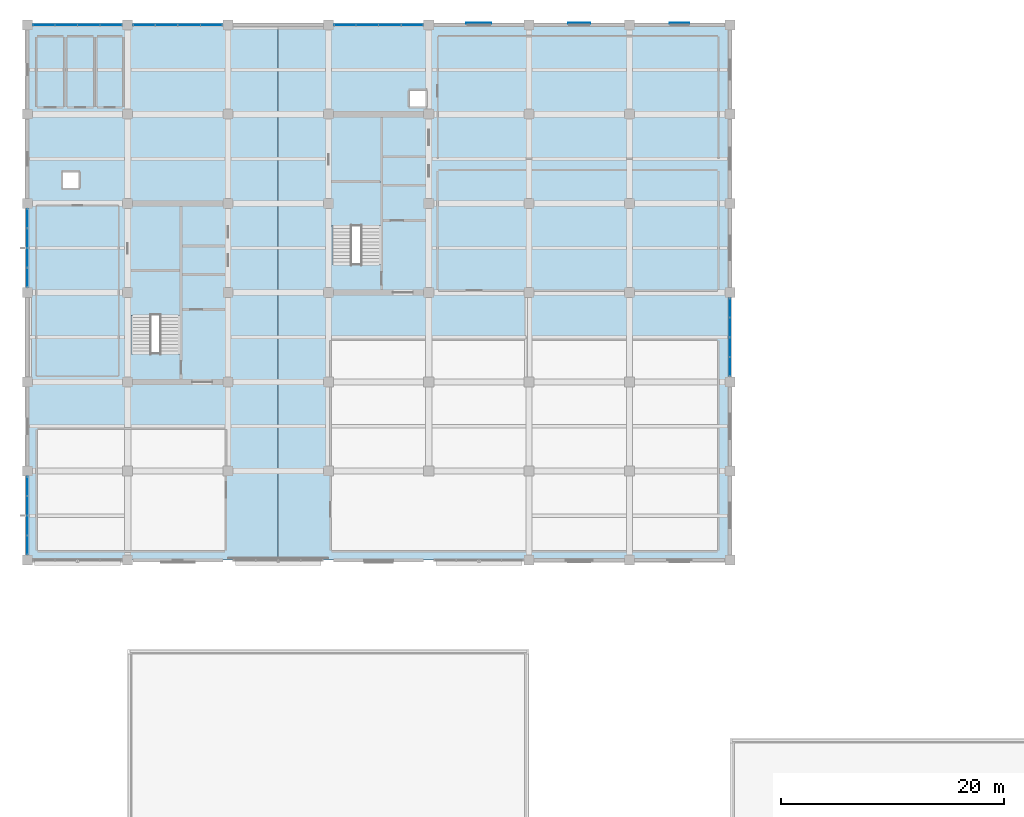
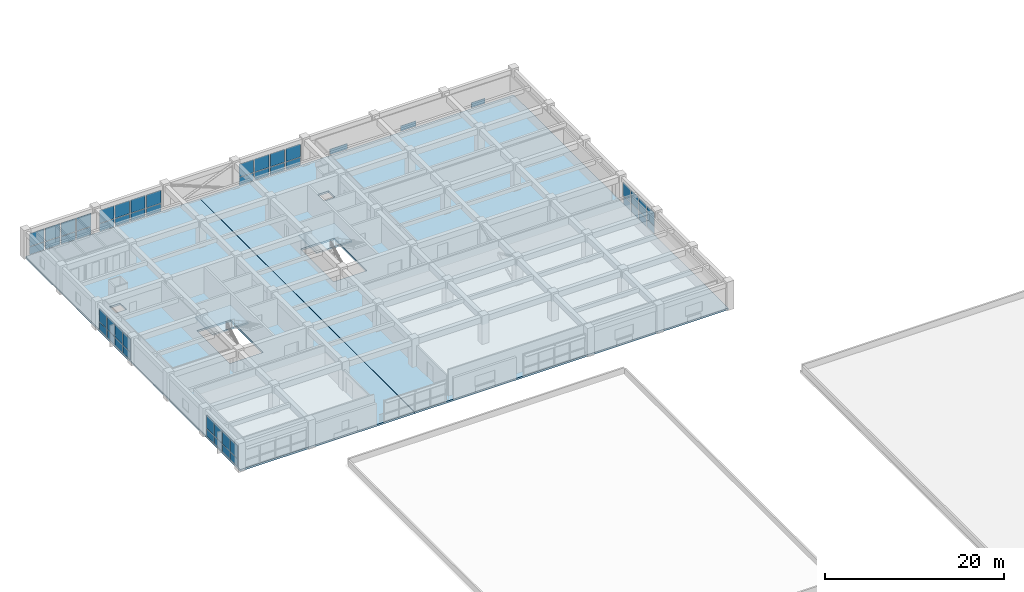
# One storey, part 12 of 23: 51 plates, 4 slabs, 8 elements without a shape of their own.
"""IFC4 building model written with IfcOpenShell, lengths in metres."""

from ifc_helpers import new_model, si_unit, direction, frame, frame_2d, origin, place, context, subcontext, project, spatial, polyline, rectangle, outline, extrude, material, layer, layer_set, type_object, element, aggregate, save


model = new_model("IFC4")

# Units and contexts
model_context = context("Model", 3, precision=1e-05, world=origin(), true_north=direction((0.0, 1.0)))
body_context = subcontext(model_context, "Body", "Model", "MODEL_VIEW")
ifc_project = project(units=[si_unit("LENGTHUNIT", "METRE"), si_unit("AREAUNIT", "SQUARE_METRE"), si_unit("VOLUMEUNIT", "CUBIC_METRE"), si_unit("PLANEANGLEUNIT", "RADIAN"), si_unit("MASSUNIT", "GRAM", prefix="KILO")], contexts=[model_context])

# Site, building, storey
site_placement = place(None, origin())
site = spatial("IfcSite", under=ifc_project, at=site_placement, CompositionType="ELEMENT")
building_placement = place(site_placement, origin())
building = spatial("IfcBuilding", under=site, at=building_placement, Name="Zaverband Oceanarium and Marine Research Institute", CompositionType="ELEMENT")
storey_placement = place(building_placement, frame((0.0, 0.0, 21.89990234375)))
storey = spatial("IfcBuildingStorey", under=building, at=storey_placement, Name="L05", CompositionType="ELEMENT", Elevation=21.89990234375)

# Curtain wall, plates
ifc_material_1 = material(Name="Thermally broken anodized aluminium and solar-control glass", Category="aluminium")
curtain_wall_type = type_object("IfcCurtainWallType", Name="CW-UNIT-1800", PredefinedType="NOTDEFINED", material=ifc_material_1)
curtain_wall_1_placement = place(storey_placement, origin())
curtain_wall_1 = element("IfcCurtainWall", 1, at=curtain_wall_1_placement, inside=storey, type_object=curtain_wall_type, Name="Unitised glazed curtain wall CW-073", PredefinedType="NOTDEFINED")
ifc_material_2 = material(Name="Low-E double-glazed solar-control glass", Category="glass")
ifc_layer_1 = layer(ifc_material_2, 0.033935546875, Name="Low-E double-glazed solar-control glass")
ifc_layer_set_1 = layer_set([ifc_layer_1], Name="Low-E double-glazed solar-control glass")
plate_type_1 = type_object("IfcPlateType", Name="CWP-1570x1043", PredefinedType="CURTAIN_PANEL", material=ifc_layer_set_1)
plate_1_placement = place(storey_placement, frame((9.0, 64.534912109375, 0.050048828125), z_axis=(0.0, 0.0, 1.0), x_axis=(0.0, 1.0, 0.0)))
plate_1 = element("IfcPlate", 2, at=plate_1_placement, type_object=plate_type_1, Name="Glazed curtain wall panel CWP-1570x1043", PredefinedType="CURTAIN_PANEL", context=body_context, shape_type="SweptSolid", body=[
    extrude(rectangle(XDim=1.612548828125, YDim=0.033935546875, at=frame_2d((0.80615234375, 0.0))), origin(), (0.0, 0.0, 1.0), 1.04296875),
])
plate_2_placement = place(storey_placement, frame((9.0, 66.3076171875, 0.050048828125), z_axis=(0.0, 0.0, 1.0), x_axis=(0.0, 1.0, 0.0)))
plate_2 = element("IfcPlate", 3, at=plate_2_placement, type_object=plate_type_1, Name="Glazed curtain wall panel CWP-1570x1043", PredefinedType="CURTAIN_PANEL", context=body_context, shape_type="SweptSolid", body=[
    extrude(rectangle(XDim=1.6123046875, YDim=0.033935546875, at=frame_2d((0.80615234375, 0.0))), origin(), (0.0, 0.0, 1.0), 1.04296875),
])
plate_3_placement = place(storey_placement, frame((9.0, 68.080078125, 0.050048828125), z_axis=(0.0, 0.0, 1.0), x_axis=(0.0, 1.0, 0.0)))
plate_3 = element("IfcPlate", 4, at=plate_3_placement, type_object=plate_type_1, Name="Glazed curtain wall panel CWP-1570x1043", PredefinedType="CURTAIN_PANEL", context=body_context, shape_type="SweptSolid", body=[
    extrude(rectangle(XDim=1.6123046875, YDim=0.033935546875, at=frame_2d((0.80615234375, 0.0))), origin(), (0.0, 0.0, 1.0), 1.04296875),
])
plate_4_placement = place(storey_placement, frame((9.0, 69.8525390625, 0.050048828125), z_axis=(0.0, 0.0, 1.0), x_axis=(0.0, 1.0, 0.0)))
plate_4 = element("IfcPlate", 5, at=plate_4_placement, type_object=plate_type_1, Name="Glazed curtain wall panel CWP-1570x1043", PredefinedType="CURTAIN_PANEL", context=body_context, shape_type="SweptSolid", body=[
    extrude(rectangle(XDim=1.612548828125, YDim=0.033935546875, at=frame_2d((0.80615234375, 0.0))), origin(), (0.0, 0.0, 1.0), 1.04296875),
])

curtain_wall_2_placement = place(storey_placement, origin())
curtain_wall_2 = element("IfcCurtainWall", 6, at=curtain_wall_2_placement, inside=storey, type_object=curtain_wall_type, Name="Unitised glazed curtain wall CW-074", PredefinedType="NOTDEFINED")
plate_5_placement = place(storey_placement, frame((9.0, 88.534912109375, 0.050048828125), z_axis=(0.0, 0.0, 1.0), x_axis=(0.0, 1.0, 0.0)))
plate_5 = element("IfcPlate", 7, at=plate_5_placement, type_object=plate_type_1, Name="Glazed curtain wall panel CWP-1570x1043", PredefinedType="CURTAIN_PANEL", context=body_context, shape_type="SweptSolid", body=[
    extrude(rectangle(XDim=1.612548828125, YDim=0.033935546875, at=frame_2d((0.80615234375, 0.0))), origin(), (0.0, 0.0, 1.0), 1.04296875),
])
plate_6_placement = place(storey_placement, frame((9.0, 90.3076171875, 0.050048828125), z_axis=(0.0, 0.0, 1.0), x_axis=(0.0, 1.0, 0.0)))
plate_6 = element("IfcPlate", 8, at=plate_6_placement, type_object=plate_type_1, Name="Glazed curtain wall panel CWP-1570x1043", PredefinedType="CURTAIN_PANEL", context=body_context, shape_type="SweptSolid", body=[
    extrude(rectangle(XDim=1.6123046875, YDim=0.033935546875, at=frame_2d((0.80615234375, 0.0))), origin(), (0.0, 0.0, 1.0), 1.04296875),
])
plate_7_placement = place(storey_placement, frame((9.0, 92.080078125, 0.050048828125), z_axis=(0.0, 0.0, 1.0), x_axis=(0.0, 1.0, 0.0)))
plate_7 = element("IfcPlate", 9, at=plate_7_placement, type_object=plate_type_1, Name="Glazed curtain wall panel CWP-1570x1043", PredefinedType="CURTAIN_PANEL", context=body_context, shape_type="SweptSolid", body=[
    extrude(rectangle(XDim=1.6123046875, YDim=0.033935546875, at=frame_2d((0.80615234375, 0.0))), origin(), (0.0, 0.0, 1.0), 1.04296875),
])
plate_8_placement = place(storey_placement, frame((9.0, 93.8525390625, 0.050048828125), z_axis=(0.0, 0.0, 1.0), x_axis=(0.0, 1.0, 0.0)))
plate_8 = element("IfcPlate", 10, at=plate_8_placement, type_object=plate_type_1, Name="Glazed curtain wall panel CWP-1570x1043", PredefinedType="CURTAIN_PANEL", context=body_context, shape_type="SweptSolid", body=[
    extrude(rectangle(XDim=1.612548828125, YDim=0.033935546875, at=frame_2d((0.80615234375, 0.0))), origin(), (0.0, 0.0, 1.0), 1.04296875),
])

curtain_wall_3_placement = place(storey_placement, origin())
curtain_wall_3 = element("IfcCurtainWall", 11, at=curtain_wall_3_placement, inside=storey, type_object=curtain_wall_type, Name="Unitised glazed curtain wall CW-075", PredefinedType="NOTDEFINED")
plate_9_placement = place(storey_placement, frame((72.0, 80.534912109375, 0.050048828125), z_axis=(0.0, 0.0, 1.0), x_axis=(0.0, 1.0, 0.0)))
plate_9 = element("IfcPlate", 12, at=plate_9_placement, type_object=plate_type_1, Name="Glazed curtain wall panel CWP-1570x1043", PredefinedType="CURTAIN_PANEL", context=body_context, shape_type="SweptSolid", body=[
    extrude(rectangle(XDim=1.612548828125, YDim=0.033935546875, at=frame_2d((0.80615234375, 0.0))), origin(), (0.0, 0.0, 1.0), 1.04296875),
])
plate_10_placement = place(storey_placement, frame((72.0, 82.3076171875, 0.050048828125), z_axis=(0.0, 0.0, 1.0), x_axis=(0.0, 1.0, 0.0)))
plate_10 = element("IfcPlate", 13, at=plate_10_placement, type_object=plate_type_1, Name="Glazed curtain wall panel CWP-1570x1043", PredefinedType="CURTAIN_PANEL", context=body_context, shape_type="SweptSolid", body=[
    extrude(rectangle(XDim=1.6123046875, YDim=0.033935546875, at=frame_2d((0.80615234375, 0.0))), origin(), (0.0, 0.0, 1.0), 1.04296875),
])
plate_11_placement = place(storey_placement, frame((72.0, 84.080078125, 0.050048828125), z_axis=(0.0, 0.0, 1.0), x_axis=(0.0, 1.0, 0.0)))
plate_11 = element("IfcPlate", 14, at=plate_11_placement, type_object=plate_type_1, Name="Glazed curtain wall panel CWP-1570x1043", PredefinedType="CURTAIN_PANEL", context=body_context, shape_type="SweptSolid", body=[
    extrude(rectangle(XDim=1.6123046875, YDim=0.033935546875, at=frame_2d((0.80615234375, 0.0))), origin(), (0.0, 0.0, 1.0), 1.04296875),
])
plate_12_placement = place(storey_placement, frame((72.0, 85.8525390625, 0.050048828125), z_axis=(0.0, 0.0, 1.0), x_axis=(0.0, 1.0, 0.0)))
plate_12 = element("IfcPlate", 15, at=plate_12_placement, type_object=plate_type_1, Name="Glazed curtain wall panel CWP-1570x1043", PredefinedType="CURTAIN_PANEL", context=body_context, shape_type="SweptSolid", body=[
    extrude(rectangle(XDim=1.612548828125, YDim=0.033935546875, at=frame_2d((0.80615234375, 0.0))), origin(), (0.0, 0.0, 1.0), 1.04296875),
])

# Plate
ifc_layer_2 = layer(ifc_material_2, 0.035888671875, Name="Low-E double-glazed solar-control glass")
ifc_layer_set_2 = layer_set([ifc_layer_2], Name="Low-E double-glazed solar-control glass")
plate_type_2 = type_object("IfcPlateType", Name="CWP-1570x1777", PredefinedType="CURTAIN_PANEL", material=ifc_layer_set_2)
plate_13_placement = place(storey_placement, frame((9.0, 64.534912109375, 1.1630859375), z_axis=(0.0, 0.0, 1.0), x_axis=(0.0, 1.0, 0.0)))
plate_13 = element("IfcPlate", 16, at=plate_13_placement, type_object=plate_type_2, Name="Glazed curtain wall panel CWP-1570x1777", PredefinedType="CURTAIN_PANEL", context=body_context, shape_type="SweptSolid", body=[
    extrude(rectangle(XDim=1.612548828125, YDim=0.035888671875, at=frame_2d((0.80615234375, 0.0))), origin(), (0.0, 0.0, 1.0), 1.777099609375),
])

plate_14_placement = place(storey_placement, frame((9.0, 66.3076171875, 1.1630859375), z_axis=(0.0, 0.0, 1.0), x_axis=(0.0, 1.0, 0.0)))
plate_14 = element("IfcPlate", 17, at=plate_14_placement, type_object=plate_type_2, Name="Glazed curtain wall panel CWP-1570x1777", PredefinedType="CURTAIN_PANEL", context=body_context, shape_type="SweptSolid", body=[
    extrude(rectangle(XDim=1.6123046875, YDim=0.035888671875, at=frame_2d((0.80615234375, 0.0))), origin(), (0.0, 0.0, 1.0), 1.777099609375),
])

plate_15_placement = place(storey_placement, frame((9.0, 68.080078125, 1.1630859375), z_axis=(0.0, 0.0, 1.0), x_axis=(0.0, 1.0, 0.0)))
plate_15 = element("IfcPlate", 18, at=plate_15_placement, type_object=plate_type_2, Name="Glazed curtain wall panel CWP-1570x1777", PredefinedType="CURTAIN_PANEL", context=body_context, shape_type="SweptSolid", body=[
    extrude(rectangle(XDim=1.6123046875, YDim=0.035888671875, at=frame_2d((0.80615234375, 0.0))), origin(), (0.0, 0.0, 1.0), 1.777099609375),
])

plate_16_placement = place(storey_placement, frame((9.0, 69.8525390625, 1.1630859375), z_axis=(0.0, 0.0, 1.0), x_axis=(0.0, 1.0, 0.0)))
plate_16 = element("IfcPlate", 19, at=plate_16_placement, type_object=plate_type_2, Name="Glazed curtain wall panel CWP-1570x1777", PredefinedType="CURTAIN_PANEL", context=body_context, shape_type="SweptSolid", body=[
    extrude(rectangle(XDim=1.612548828125, YDim=0.035888671875, at=frame_2d((0.80615234375, 0.0))), origin(), (0.0, 0.0, 1.0), 1.777099609375),
])

aggregate(curtain_wall_1, [plate_1, plate_13, plate_2, plate_14, plate_3, plate_15, plate_4, plate_16])

plate_17_placement = place(storey_placement, frame((9.0, 88.534912109375, 1.1630859375), z_axis=(0.0, 0.0, 1.0), x_axis=(0.0, 1.0, 0.0)))
plate_17 = element("IfcPlate", 20, at=plate_17_placement, type_object=plate_type_2, Name="Glazed curtain wall panel CWP-1570x1777", PredefinedType="CURTAIN_PANEL", context=body_context, shape_type="SweptSolid", body=[
    extrude(rectangle(XDim=1.612548828125, YDim=0.035888671875, at=frame_2d((0.80615234375, 0.0))), origin(), (0.0, 0.0, 1.0), 1.777099609375),
])

plate_18_placement = place(storey_placement, frame((9.0, 90.3076171875, 1.1630859375), z_axis=(0.0, 0.0, 1.0), x_axis=(0.0, 1.0, 0.0)))
plate_18 = element("IfcPlate", 21, at=plate_18_placement, type_object=plate_type_2, Name="Glazed curtain wall panel CWP-1570x1777", PredefinedType="CURTAIN_PANEL", context=body_context, shape_type="SweptSolid", body=[
    extrude(rectangle(XDim=1.6123046875, YDim=0.035888671875, at=frame_2d((0.80615234375, 0.0))), origin(), (0.0, 0.0, 1.0), 1.777099609375),
])

plate_19_placement = place(storey_placement, frame((9.0, 92.080078125, 1.1630859375), z_axis=(0.0, 0.0, 1.0), x_axis=(0.0, 1.0, 0.0)))
plate_19 = element("IfcPlate", 22, at=plate_19_placement, type_object=plate_type_2, Name="Glazed curtain wall panel CWP-1570x1777", PredefinedType="CURTAIN_PANEL", context=body_context, shape_type="SweptSolid", body=[
    extrude(rectangle(XDim=1.6123046875, YDim=0.035888671875, at=frame_2d((0.80615234375, 0.0))), origin(), (0.0, 0.0, 1.0), 1.777099609375),
])

plate_20_placement = place(storey_placement, frame((9.0, 93.8525390625, 1.1630859375), z_axis=(0.0, 0.0, 1.0), x_axis=(0.0, 1.0, 0.0)))
plate_20 = element("IfcPlate", 23, at=plate_20_placement, type_object=plate_type_2, Name="Glazed curtain wall panel CWP-1570x1777", PredefinedType="CURTAIN_PANEL", context=body_context, shape_type="SweptSolid", body=[
    extrude(rectangle(XDim=1.612548828125, YDim=0.035888671875, at=frame_2d((0.80615234375, 0.0))), origin(), (0.0, 0.0, 1.0), 1.777099609375),
])

aggregate(curtain_wall_2, [plate_5, plate_17, plate_6, plate_18, plate_7, plate_19, plate_8, plate_20])

plate_21_placement = place(storey_placement, frame((72.0, 80.534912109375, 1.1630859375), z_axis=(0.0, 0.0, 1.0), x_axis=(0.0, 1.0, 0.0)))
plate_21 = element("IfcPlate", 24, at=plate_21_placement, type_object=plate_type_2, Name="Glazed curtain wall panel CWP-1570x1777", PredefinedType="CURTAIN_PANEL", context=body_context, shape_type="SweptSolid", body=[
    extrude(rectangle(XDim=1.612548828125, YDim=0.035888671875, at=frame_2d((0.80615234375, 0.0))), origin(), (0.0, 0.0, 1.0), 1.777099609375),
])

plate_22_placement = place(storey_placement, frame((72.0, 82.3076171875, 1.1630859375), z_axis=(0.0, 0.0, 1.0), x_axis=(0.0, 1.0, 0.0)))
plate_22 = element("IfcPlate", 25, at=plate_22_placement, type_object=plate_type_2, Name="Glazed curtain wall panel CWP-1570x1777", PredefinedType="CURTAIN_PANEL", context=body_context, shape_type="SweptSolid", body=[
    extrude(rectangle(XDim=1.6123046875, YDim=0.035888671875, at=frame_2d((0.80615234375, 0.0))), origin(), (0.0, 0.0, 1.0), 1.777099609375),
])

plate_23_placement = place(storey_placement, frame((72.0, 84.080078125, 1.1630859375), z_axis=(0.0, 0.0, 1.0), x_axis=(0.0, 1.0, 0.0)))
plate_23 = element("IfcPlate", 26, at=plate_23_placement, type_object=plate_type_2, Name="Glazed curtain wall panel CWP-1570x1777", PredefinedType="CURTAIN_PANEL", context=body_context, shape_type="SweptSolid", body=[
    extrude(rectangle(XDim=1.6123046875, YDim=0.035888671875, at=frame_2d((0.80615234375, 0.0))), origin(), (0.0, 0.0, 1.0), 1.777099609375),
])

plate_24_placement = place(storey_placement, frame((72.0, 85.8525390625, 1.1630859375), z_axis=(0.0, 0.0, 1.0), x_axis=(0.0, 1.0, 0.0)))
plate_24 = element("IfcPlate", 27, at=plate_24_placement, type_object=plate_type_2, Name="Glazed curtain wall panel CWP-1570x1777", PredefinedType="CURTAIN_PANEL", context=body_context, shape_type="SweptSolid", body=[
    extrude(rectangle(XDim=1.612548828125, YDim=0.035888671875, at=frame_2d((0.80615234375, 0.0))), origin(), (0.0, 0.0, 1.0), 1.777099609375),
])

aggregate(curtain_wall_3, [plate_9, plate_21, plate_10, plate_22, plate_11, plate_23, plate_12, plate_24])

# Curtain wall, plates
curtain_wall_4_placement = place(storey_placement, origin())
curtain_wall_4 = element("IfcCurtainWall", 28, at=curtain_wall_4_placement, inside=storey, type_object=curtain_wall_type, Name="Unitised glazed curtain wall CW-070", PredefinedType="NOTDEFINED")
ifc_layer_3 = layer(ifc_material_2, 0.033935546875, Name="Low-E double-glazed solar-control glass")
ifc_layer_set_3 = layer_set([ifc_layer_3], Name="Low-E double-glazed solar-control glass")
plate_type_3 = type_object("IfcPlateType", Name="CWP-1820x1043", PredefinedType="CURTAIN_PANEL", material=ifc_layer_set_3)
plate_25_placement = place(storey_placement, frame((9.534912109375, 112.0, 0.050048828125), z_axis=(0.0, 0.0, 1.0), x_axis=(1.0, 0.0, 0.0)))
plate_25 = element("IfcPlate", 29, at=plate_25_placement, type_object=plate_type_3, Name="Glazed curtain wall panel CWP-1820x1043", PredefinedType="CURTAIN_PANEL", context=body_context, shape_type="SweptSolid", body=[
    extrude(rectangle(XDim=1.862548828125, YDim=0.033935546875, at=frame_2d((0.93115234375, 0.0))), origin(), (0.0, 0.0, 1.0), 1.04296875),
])
plate_26_placement = place(storey_placement, frame((11.5576171875, 112.0, 0.050048828125), z_axis=(0.0, 0.0, 1.0), x_axis=(1.0, 0.0, 0.0)))
plate_26 = element("IfcPlate", 30, at=plate_26_placement, type_object=plate_type_3, Name="Glazed curtain wall panel CWP-1820x1043", PredefinedType="CURTAIN_PANEL", context=body_context, shape_type="SweptSolid", body=[
    extrude(rectangle(XDim=1.8623046875, YDim=0.033935546875, at=frame_2d((0.93115234375, 0.0))), origin(), (0.0, 0.0, 1.0), 1.04296875),
])
plate_27_placement = place(storey_placement, frame((13.580078125, 112.0, 0.050048828125), z_axis=(0.0, 0.0, 1.0), x_axis=(1.0, 0.0, 0.0)))
plate_27 = element("IfcPlate", 31, at=plate_27_placement, type_object=plate_type_3, Name="Glazed curtain wall panel CWP-1820x1043", PredefinedType="CURTAIN_PANEL", context=body_context, shape_type="SweptSolid", body=[
    extrude(rectangle(XDim=1.8623046875, YDim=0.033935546875, at=frame_2d((0.93115234375, 0.0))), origin(), (0.0, 0.0, 1.0), 1.04296875),
])
plate_28_placement = place(storey_placement, frame((15.6025390625, 112.0, 0.050048828125), z_axis=(0.0, 0.0, 1.0), x_axis=(1.0, 0.0, 0.0)))
plate_28 = element("IfcPlate", 32, at=plate_28_placement, type_object=plate_type_3, Name="Glazed curtain wall panel CWP-1820x1043", PredefinedType="CURTAIN_PANEL", context=body_context, shape_type="SweptSolid", body=[
    extrude(rectangle(XDim=1.862548828125, YDim=0.033935546875, at=frame_2d((0.93115234375, 0.0))), origin(), (0.0, 0.0, 1.0), 1.04296875),
])

curtain_wall_5_placement = place(storey_placement, origin())
curtain_wall_5 = element("IfcCurtainWall", 33, at=curtain_wall_5_placement, inside=storey, type_object=curtain_wall_type, Name="Unitised glazed curtain wall CW-071", PredefinedType="NOTDEFINED")
plate_29_placement = place(storey_placement, frame((18.534912109375, 112.0, 0.050048828125), z_axis=(0.0, 0.0, 1.0), x_axis=(1.0, 0.0, 0.0)))
plate_29 = element("IfcPlate", 34, at=plate_29_placement, type_object=plate_type_3, Name="Glazed curtain wall panel CWP-1820x1043", PredefinedType="CURTAIN_PANEL", context=body_context, shape_type="SweptSolid", body=[
    extrude(rectangle(XDim=1.862548828125, YDim=0.033935546875, at=frame_2d((0.93115234375, 0.0))), origin(), (0.0, 0.0, 1.0), 1.04296875),
])
plate_30_placement = place(storey_placement, frame((20.5576171875, 112.0, 0.050048828125), z_axis=(0.0, 0.0, 1.0), x_axis=(1.0, 0.0, 0.0)))
plate_30 = element("IfcPlate", 35, at=plate_30_placement, type_object=plate_type_3, Name="Glazed curtain wall panel CWP-1820x1043", PredefinedType="CURTAIN_PANEL", context=body_context, shape_type="SweptSolid", body=[
    extrude(rectangle(XDim=1.8623046875, YDim=0.033935546875, at=frame_2d((0.93115234375, 0.0))), origin(), (0.0, 0.0, 1.0), 1.04296875),
])
plate_31_placement = place(storey_placement, frame((22.580078125, 112.0, 0.050048828125), z_axis=(0.0, 0.0, 1.0), x_axis=(1.0, 0.0, 0.0)))
plate_31 = element("IfcPlate", 36, at=plate_31_placement, type_object=plate_type_3, Name="Glazed curtain wall panel CWP-1820x1043", PredefinedType="CURTAIN_PANEL", context=body_context, shape_type="SweptSolid", body=[
    extrude(rectangle(XDim=1.8623046875, YDim=0.033935546875, at=frame_2d((0.93115234375, 0.0))), origin(), (0.0, 0.0, 1.0), 1.04296875),
])
plate_32_placement = place(storey_placement, frame((24.6025390625, 112.0, 0.050048828125), z_axis=(0.0, 0.0, 1.0), x_axis=(1.0, 0.0, 0.0)))
plate_32 = element("IfcPlate", 37, at=plate_32_placement, type_object=plate_type_3, Name="Glazed curtain wall panel CWP-1820x1043", PredefinedType="CURTAIN_PANEL", context=body_context, shape_type="SweptSolid", body=[
    extrude(rectangle(XDim=1.862548828125, YDim=0.033935546875, at=frame_2d((0.93115234375, 0.0))), origin(), (0.0, 0.0, 1.0), 1.04296875),
])

curtain_wall_6_placement = place(storey_placement, origin())
curtain_wall_6 = element("IfcCurtainWall", 38, at=curtain_wall_6_placement, inside=storey, type_object=curtain_wall_type, Name="Unitised glazed curtain wall CW-072", PredefinedType="NOTDEFINED")
plate_33_placement = place(storey_placement, frame((36.534912109375, 112.0, 0.050048828125), z_axis=(0.0, 0.0, 1.0), x_axis=(1.0, 0.0, 0.0)))
plate_33 = element("IfcPlate", 39, at=plate_33_placement, type_object=plate_type_3, Name="Glazed curtain wall panel CWP-1820x1043", PredefinedType="CURTAIN_PANEL", context=body_context, shape_type="SweptSolid", body=[
    extrude(rectangle(XDim=1.862548828125, YDim=0.033935546875, at=frame_2d((0.93115234375, 0.0))), origin(), (0.0, 0.0, 1.0), 1.04296875),
])
plate_34_placement = place(storey_placement, frame((38.5576171875, 112.0, 0.050048828125), z_axis=(0.0, 0.0, 1.0), x_axis=(1.0, 0.0, 0.0)))
plate_34 = element("IfcPlate", 40, at=plate_34_placement, type_object=plate_type_3, Name="Glazed curtain wall panel CWP-1820x1043", PredefinedType="CURTAIN_PANEL", context=body_context, shape_type="SweptSolid", body=[
    extrude(rectangle(XDim=1.8623046875, YDim=0.033935546875, at=frame_2d((0.93115234375, 0.0))), origin(), (0.0, 0.0, 1.0), 1.04296875),
])
plate_35_placement = place(storey_placement, frame((40.580078125, 112.0, 0.050048828125), z_axis=(0.0, 0.0, 1.0), x_axis=(1.0, 0.0, 0.0)))
plate_35 = element("IfcPlate", 41, at=plate_35_placement, type_object=plate_type_3, Name="Glazed curtain wall panel CWP-1820x1043", PredefinedType="CURTAIN_PANEL", context=body_context, shape_type="SweptSolid", body=[
    extrude(rectangle(XDim=1.8623046875, YDim=0.033935546875, at=frame_2d((0.93115234375, 0.0))), origin(), (0.0, 0.0, 1.0), 1.04296875),
])
plate_36_placement = place(storey_placement, frame((42.6025390625, 112.0, 0.050048828125), z_axis=(0.0, 0.0, 1.0), x_axis=(1.0, 0.0, 0.0)))
plate_36 = element("IfcPlate", 42, at=plate_36_placement, type_object=plate_type_3, Name="Glazed curtain wall panel CWP-1820x1043", PredefinedType="CURTAIN_PANEL", context=body_context, shape_type="SweptSolid", body=[
    extrude(rectangle(XDim=1.862548828125, YDim=0.033935546875, at=frame_2d((0.93115234375, 0.0))), origin(), (0.0, 0.0, 1.0), 1.04296875),
])

# Plate
ifc_layer_4 = layer(ifc_material_2, 0.035888671875, Name="Low-E double-glazed solar-control glass")
ifc_layer_set_4 = layer_set([ifc_layer_4], Name="Low-E double-glazed solar-control glass")
plate_type_4 = type_object("IfcPlateType", Name="CWP-1820x1777", PredefinedType="CURTAIN_PANEL", material=ifc_layer_set_4)
plate_37_placement = place(storey_placement, frame((9.534912109375, 112.0, 1.1630859375), z_axis=(0.0, 0.0, 1.0), x_axis=(1.0, 0.0, 0.0)))
plate_37 = element("IfcPlate", 43, at=plate_37_placement, type_object=plate_type_4, Name="Glazed curtain wall panel CWP-1820x1777", PredefinedType="CURTAIN_PANEL", context=body_context, shape_type="SweptSolid", body=[
    extrude(rectangle(XDim=1.862548828125, YDim=0.035888671875, at=frame_2d((0.93115234375, 0.0))), origin(), (0.0, 0.0, 1.0), 1.777099609375),
])

plate_38_placement = place(storey_placement, frame((11.5576171875, 112.0, 1.1630859375), z_axis=(0.0, 0.0, 1.0), x_axis=(1.0, 0.0, 0.0)))
plate_38 = element("IfcPlate", 44, at=plate_38_placement, type_object=plate_type_4, Name="Glazed curtain wall panel CWP-1820x1777", PredefinedType="CURTAIN_PANEL", context=body_context, shape_type="SweptSolid", body=[
    extrude(rectangle(XDim=1.8623046875, YDim=0.035888671875, at=frame_2d((0.93115234375, 0.0))), origin(), (0.0, 0.0, 1.0), 1.777099609375),
])

plate_39_placement = place(storey_placement, frame((13.580078125, 112.0, 1.1630859375), z_axis=(0.0, 0.0, 1.0), x_axis=(1.0, 0.0, 0.0)))
plate_39 = element("IfcPlate", 45, at=plate_39_placement, type_object=plate_type_4, Name="Glazed curtain wall panel CWP-1820x1777", PredefinedType="CURTAIN_PANEL", context=body_context, shape_type="SweptSolid", body=[
    extrude(rectangle(XDim=1.8623046875, YDim=0.035888671875, at=frame_2d((0.93115234375, 0.0))), origin(), (0.0, 0.0, 1.0), 1.777099609375),
])

plate_40_placement = place(storey_placement, frame((15.6025390625, 112.0, 1.1630859375), z_axis=(0.0, 0.0, 1.0), x_axis=(1.0, 0.0, 0.0)))
plate_40 = element("IfcPlate", 46, at=plate_40_placement, type_object=plate_type_4, Name="Glazed curtain wall panel CWP-1820x1777", PredefinedType="CURTAIN_PANEL", context=body_context, shape_type="SweptSolid", body=[
    extrude(rectangle(XDim=1.862548828125, YDim=0.035888671875, at=frame_2d((0.93115234375, 0.0))), origin(), (0.0, 0.0, 1.0), 1.777099609375),
])

aggregate(curtain_wall_4, [plate_25, plate_37, plate_26, plate_38, plate_27, plate_39, plate_28, plate_40])

plate_41_placement = place(storey_placement, frame((18.534912109375, 112.0, 1.1630859375), z_axis=(0.0, 0.0, 1.0), x_axis=(1.0, 0.0, 0.0)))
plate_41 = element("IfcPlate", 47, at=plate_41_placement, type_object=plate_type_4, Name="Glazed curtain wall panel CWP-1820x1777", PredefinedType="CURTAIN_PANEL", context=body_context, shape_type="SweptSolid", body=[
    extrude(rectangle(XDim=1.862548828125, YDim=0.035888671875, at=frame_2d((0.93115234375, 0.0))), origin(), (0.0, 0.0, 1.0), 1.777099609375),
])

plate_42_placement = place(storey_placement, frame((20.5576171875, 112.0, 1.1630859375), z_axis=(0.0, 0.0, 1.0), x_axis=(1.0, 0.0, 0.0)))
plate_42 = element("IfcPlate", 48, at=plate_42_placement, type_object=plate_type_4, Name="Glazed curtain wall panel CWP-1820x1777", PredefinedType="CURTAIN_PANEL", context=body_context, shape_type="SweptSolid", body=[
    extrude(rectangle(XDim=1.8623046875, YDim=0.035888671875, at=frame_2d((0.93115234375, 0.0))), origin(), (0.0, 0.0, 1.0), 1.777099609375),
])

plate_43_placement = place(storey_placement, frame((22.580078125, 112.0, 1.1630859375), z_axis=(0.0, 0.0, 1.0), x_axis=(1.0, 0.0, 0.0)))
plate_43 = element("IfcPlate", 49, at=plate_43_placement, type_object=plate_type_4, Name="Glazed curtain wall panel CWP-1820x1777", PredefinedType="CURTAIN_PANEL", context=body_context, shape_type="SweptSolid", body=[
    extrude(rectangle(XDim=1.8623046875, YDim=0.035888671875, at=frame_2d((0.93115234375, 0.0))), origin(), (0.0, 0.0, 1.0), 1.777099609375),
])

plate_44_placement = place(storey_placement, frame((24.6025390625, 112.0, 1.1630859375), z_axis=(0.0, 0.0, 1.0), x_axis=(1.0, 0.0, 0.0)))
plate_44 = element("IfcPlate", 50, at=plate_44_placement, type_object=plate_type_4, Name="Glazed curtain wall panel CWP-1820x1777", PredefinedType="CURTAIN_PANEL", context=body_context, shape_type="SweptSolid", body=[
    extrude(rectangle(XDim=1.862548828125, YDim=0.035888671875, at=frame_2d((0.93115234375, 0.0))), origin(), (0.0, 0.0, 1.0), 1.777099609375),
])

aggregate(curtain_wall_5, [plate_29, plate_41, plate_30, plate_42, plate_31, plate_43, plate_32, plate_44])

plate_45_placement = place(storey_placement, frame((36.534912109375, 112.0, 1.1630859375), z_axis=(0.0, 0.0, 1.0), x_axis=(1.0, 0.0, 0.0)))
plate_45 = element("IfcPlate", 51, at=plate_45_placement, type_object=plate_type_4, Name="Glazed curtain wall panel CWP-1820x1777", PredefinedType="CURTAIN_PANEL", context=body_context, shape_type="SweptSolid", body=[
    extrude(rectangle(XDim=1.862548828125, YDim=0.035888671875, at=frame_2d((0.93115234375, 0.0))), origin(), (0.0, 0.0, 1.0), 1.777099609375),
])

plate_46_placement = place(storey_placement, frame((38.5576171875, 112.0, 1.1630859375), z_axis=(0.0, 0.0, 1.0), x_axis=(1.0, 0.0, 0.0)))
plate_46 = element("IfcPlate", 52, at=plate_46_placement, type_object=plate_type_4, Name="Glazed curtain wall panel CWP-1820x1777", PredefinedType="CURTAIN_PANEL", context=body_context, shape_type="SweptSolid", body=[
    extrude(rectangle(XDim=1.8623046875, YDim=0.035888671875, at=frame_2d((0.93115234375, 0.0))), origin(), (0.0, 0.0, 1.0), 1.777099609375),
])

plate_47_placement = place(storey_placement, frame((40.580078125, 112.0, 1.1630859375), z_axis=(0.0, 0.0, 1.0), x_axis=(1.0, 0.0, 0.0)))
plate_47 = element("IfcPlate", 53, at=plate_47_placement, type_object=plate_type_4, Name="Glazed curtain wall panel CWP-1820x1777", PredefinedType="CURTAIN_PANEL", context=body_context, shape_type="SweptSolid", body=[
    extrude(rectangle(XDim=1.8623046875, YDim=0.035888671875, at=frame_2d((0.93115234375, 0.0))), origin(), (0.0, 0.0, 1.0), 1.777099609375),
])

plate_48_placement = place(storey_placement, frame((42.6025390625, 112.0, 1.1630859375), z_axis=(0.0, 0.0, 1.0), x_axis=(1.0, 0.0, 0.0)))
plate_48 = element("IfcPlate", 54, at=plate_48_placement, type_object=plate_type_4, Name="Glazed curtain wall panel CWP-1820x1777", PredefinedType="CURTAIN_PANEL", context=body_context, shape_type="SweptSolid", body=[
    extrude(rectangle(XDim=1.862548828125, YDim=0.035888671875, at=frame_2d((0.93115234375, 0.0))), origin(), (0.0, 0.0, 1.0), 1.777099609375),
])

aggregate(curtain_wall_6, [plate_33, plate_45, plate_34, plate_46, plate_35, plate_47, plate_36, plate_48])

# Plates
ifc_material_3 = material(Name="Concrete C40/50 precast ochre", Category="concrete")
ifc_layer_5 = layer(ifc_material_3, 0.070068359375, Name="Concrete C40/50 precast ochre")
ifc_layer_set_5 = layer_set([ifc_layer_5], Name="Concrete C40/50 precast ochre")
plate_type_5 = type_object("IfcPlateType", Name="FRP-1750x700", PredefinedType="USERDEFINED", material=ifc_layer_set_5)
plate_49_placement = place(storey_placement, frame((66.625, 112.152587890625, 0.0), z_axis=(0.0, 0.0, 1.0), x_axis=(1.0, 0.0, 0.0)))
element("IfcPlate", 55, at=plate_49_placement, inside=storey, type_object=plate_type_5, Name="Geometric precast facade cladding panel FRP-1750x700", ObjectType="FLANGE_PLATE", PredefinedType="USERDEFINED", context=body_context, shape_type="SweptSolid", body=[
    extrude(rectangle(XDim=1.75, YDim=0.070068359375, at=frame_2d((0.875, 0.0))), origin(), (0.0, 0.0, 1.0), 0.7001953125),
])
ifc_layer_6 = layer(ifc_material_3, 0.070068359375, Name="Concrete C40/50 precast ochre")
ifc_layer_set_6 = layer_set([ifc_layer_6], Name="Concrete C40/50 precast ochre")
plate_type_6 = type_object("IfcPlateType", Name="FRP-2000x720", PredefinedType="USERDEFINED", material=ifc_layer_set_6)
plate_50_placement = place(storey_placement, frame((57.5, 112.1650390625, 0.0), z_axis=(0.0, 0.0, 1.0), x_axis=(1.0, 0.0, 0.0)))
element("IfcPlate", 56, at=plate_50_placement, inside=storey, type_object=plate_type_6, Name="Geometric precast facade cladding panel FRP-2000x720", ObjectType="FLANGE_PLATE", PredefinedType="USERDEFINED", context=body_context, shape_type="SweptSolid", body=[
    extrude(rectangle(XDim=2.0, YDim=0.070068359375, at=frame_2d((1.0, 0.0))), origin(), (0.0, 0.0, 1.0), 0.72021484375),
])
ifc_layer_7 = layer(ifc_material_3, 0.074951171875, Name="Concrete C40/50 precast ochre")
ifc_layer_set_7 = layer_set([ifc_layer_7], Name="Concrete C40/50 precast ochre")
plate_type_7 = type_object("IfcPlateType", Name="FRP-2250x740", PredefinedType="USERDEFINED", material=ifc_layer_set_7)
plate_51_placement = place(storey_placement, frame((48.375, 112.155029296875, 0.0), z_axis=(0.0, 0.0, 1.0), x_axis=(1.0, 0.0, 0.0)))
element("IfcPlate", 57, at=plate_51_placement, inside=storey, type_object=plate_type_7, Name="Geometric precast facade cladding panel FRP-2250x740", ObjectType="FLANGE_PLATE", PredefinedType="USERDEFINED", context=body_context, shape_type="SweptSolid", body=[
    extrude(rectangle(XDim=2.25, YDim=0.074951171875, at=frame_2d((1.125, 0.0))), origin(), (0.0, 0.0, 1.0), 0.739990234375),
])

# Slabs
ifc_material_4 = material(Name="Concrete C40/50", Category="concrete")
ifc_layer_8 = layer(ifc_material_4, 0.25, Name="Concrete C40/50")
ifc_layer_set_8 = layer_set([ifc_layer_8], Name="Concrete C40/50")
slab_type_1 = type_object("IfcSlabType", Name="SLB-LAB-250", PredefinedType="FLOOR", material=ifc_layer_set_8)
slab_1_placement = place(storey_placement, frame((0.0, 0.0, -0.25)))
element("IfcSlab", 58, at=slab_1_placement, inside=storey, type_object=slab_type_1, Name="Suspended floor slab SLB-LAB-250", PredefinedType="FLOOR", context=body_context, shape_type="SweptSolid", body=[
    extrude(outline(polyline([(9.0, 112.0), (31.485107421875, 112.0), (31.485107421875, 64.0), (9.0, 64.0), (9.0, 112.0)]), holes=[polyline([(18.35009765625, 89.85009765625), (18.35009765625, 82.5), (22.64990234375, 82.5), (22.64990234375, 89.85009765625), (18.35009765625, 89.85009765625)]), polyline([(12.199951171875, 98.800048828125), (12.199951171875, 97.39990234375), (13.60009765625, 97.39990234375), (13.60009765625, 98.800048828125), (12.199951171875, 98.800048828125)])]), origin(), (0.0, 0.0, 1.0), 0.25),
])
slab_2_placement = place(storey_placement, frame((0.0, 0.0, -0.25)))
element("IfcSlab", 59, at=slab_2_placement, inside=storey, type_object=slab_type_1, Name="Suspended floor slab SLB-LAB-250", PredefinedType="FLOOR", context=body_context, shape_type="SweptSolid", body=[
    extrude(outline(polyline([(31.514892578125, 112.0), (72.0, 112.0), (72.0, 64.0), (31.514892578125, 64.0), (31.514892578125, 112.0)]), holes=[polyline([(36.35009765625, 97.85009765625), (36.35009765625, 90.5), (40.64990234375, 90.5), (40.64990234375, 97.85009765625), (36.35009765625, 97.85009765625)]), polyline([(43.300048828125, 106.10009765625), (43.300048828125, 104.699951171875), (44.699951171875, 104.699951171875), (44.699951171875, 106.10009765625), (43.300048828125, 106.10009765625)])]), origin(), (0.0, 0.0, 1.0), 0.25),
])

# Stair, slab
stair_type = type_object("IfcStairType", Name="STR-TWR-1650-3900", PredefinedType="HALF_TURN_STAIR", material=ifc_material_4)
stair_1_placement = place(storey_placement, origin())
stair_1 = element("IfcStair", 60, at=stair_1_placement, inside=storey, type_object=stair_type, Name="Exit Stair ST-01 (L05)", PredefinedType="HALF_TURN_STAIR")
ifc_layer_9 = layer(ifc_material_4, 0.199951171875, Name="Concrete C40/50")
ifc_layer_set_9 = layer_set([ifc_layer_9], Name="Concrete C40/50")
slab_type_2 = type_object("IfcSlabType", Name="SLB-LND-200", PredefinedType="LANDING", material=ifc_layer_set_9)
slab_3_placement = place(storey_placement, frame((0.0, 0.0, 1.75)))
slab_3 = element("IfcSlab", 61, at=slab_3_placement, type_object=slab_type_2, Name="Stair / ramp landing slab SLB-LND-200", PredefinedType="LANDING", context=body_context, shape_type="SweptSolid", body=[
    extrude(outline(polyline([(18.139892578125, 85.969970703125), (22.735107421875, 85.969970703125), (22.735107421875, 89.93505859375), (18.139892578125, 89.93505859375), (18.139892578125, 85.969970703125)])), origin(), (0.0, 0.0, 1.0), 0.2001953125),
])
aggregate(stair_1, [slab_3])

stair_2_placement = place(storey_placement, origin())
stair_2 = element("IfcStair", 62, at=stair_2_placement, inside=storey, type_object=stair_type, Name="Exit Stair ST-02 (L05)", PredefinedType="HALF_TURN_STAIR")
slab_4_placement = place(storey_placement, frame((0.0, 0.0, 1.75)))
slab_4 = element("IfcSlab", 63, at=slab_4_placement, type_object=slab_type_2, Name="Stair / ramp landing slab SLB-LND-200", PredefinedType="LANDING", context=body_context, shape_type="SweptSolid", body=[
    extrude(outline(polyline([(36.139892578125, 93.969970703125), (40.735107421875, 93.969970703125), (40.735107421875, 97.93505859375), (36.139892578125, 97.93505859375), (36.139892578125, 93.969970703125)])), origin(), (0.0, 0.0, 1.0), 0.2001953125),
])
aggregate(stair_2, [slab_4])

save(model, "model.ifc")
